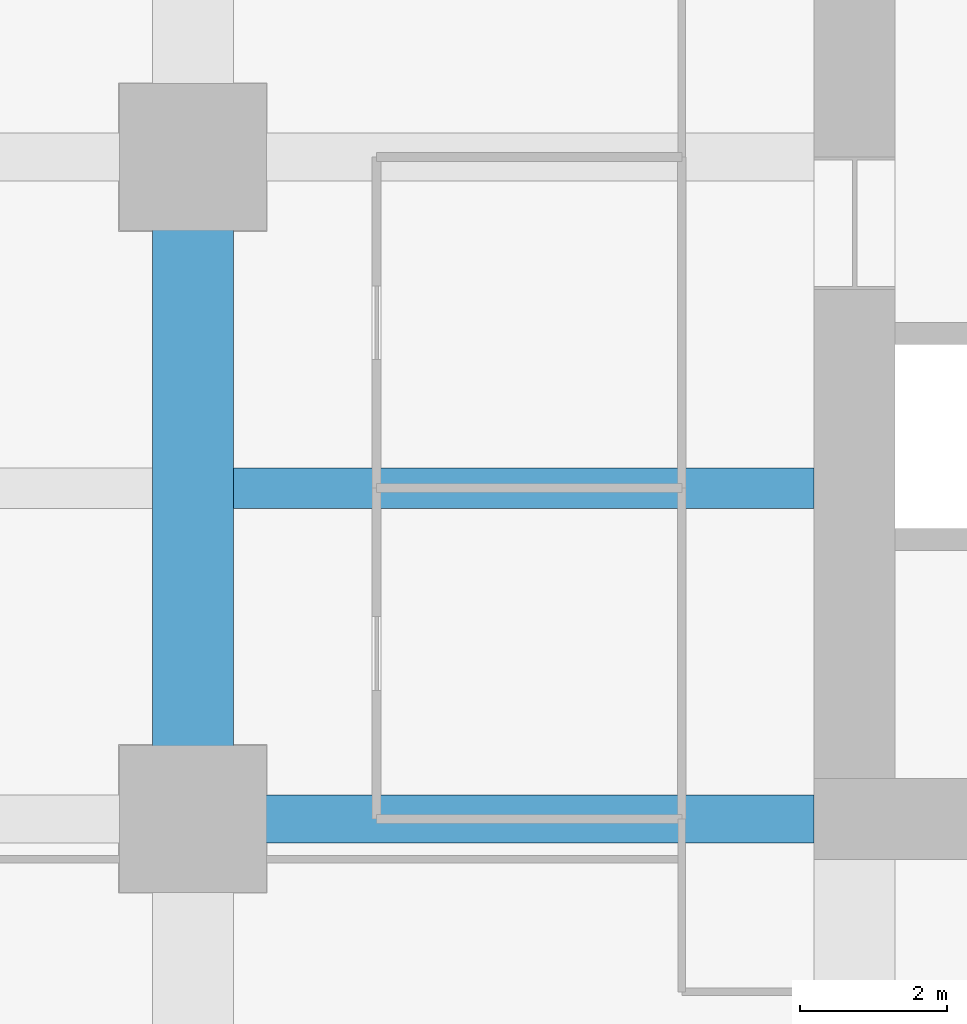
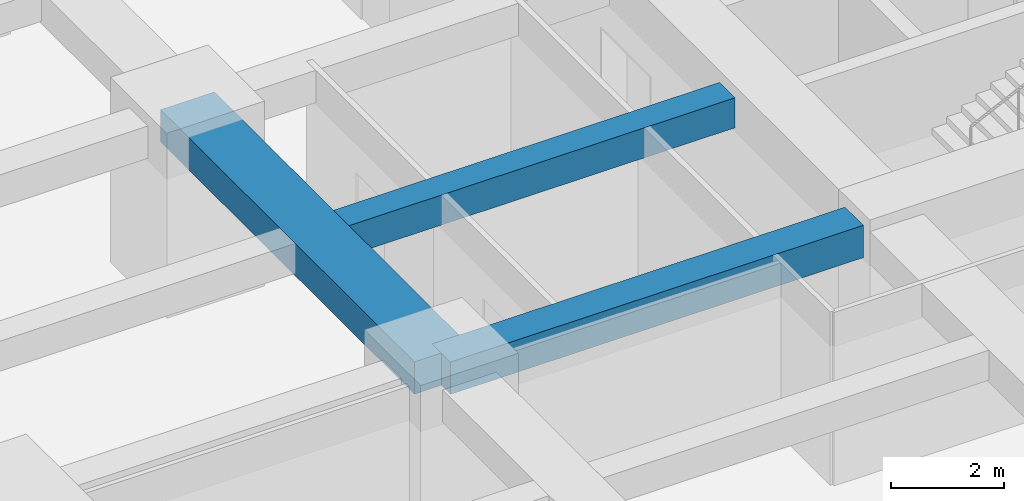
# One storey, part 10 of 41: 3 beams.
"""IFC4 building model written with IfcOpenShell, lengths in metres."""

from ifc_helpers import new_model, si_unit, direction, frame, origin, origin_2d, place, context, subcontext, project, spatial, rectangle, extrude, material, material_profile, profile_set, type_object, element, save


model = new_model("IFC4")

# Units and contexts
model_context = context("Model", 3, precision=1e-05, world=origin(), true_north=direction((0.0, 1.0)))
body_context = subcontext(model_context, "Body", "Model", "MODEL_VIEW")
ifc_project = project(units=[si_unit("LENGTHUNIT", "METRE"), si_unit("AREAUNIT", "SQUARE_METRE"), si_unit("VOLUMEUNIT", "CUBIC_METRE"), si_unit("PLANEANGLEUNIT", "RADIAN"), si_unit("MASSUNIT", "GRAM", prefix="KILO")], contexts=[model_context])

# Site, building, storey
site_placement = place(None, origin())
site = spatial("IfcSite", under=ifc_project, at=site_placement, CompositionType="ELEMENT")
building_placement = place(site_placement, origin())
building = spatial("IfcBuilding", under=site, at=building_placement, Name="Zorevar Civic Tower", CompositionType="ELEMENT")
storey_placement = place(building_placement, frame((0.0, 0.0, 97.0)))
storey = spatial("IfcBuildingStorey", under=building, at=storey_placement, Name="L23", CompositionType="ELEMENT", Elevation=97.0)

# Beams
ifc_material_1 = material(Name="Concrete C50/60", Category="concrete")
ifc_material_profile_1 = material_profile(ifc_material_1, rectangle(XDim=1.10009765625, YDim=0.699951171875, at=origin_2d()), Name="RC 1100x700")
ifc_profile_set_1 = profile_set([ifc_material_profile_1], Name="Concrete C50/60")
beam_type_1 = type_object("IfcBeamType", Name="Beam RC 1100x700", PredefinedType="BEAM", material=ifc_profile_set_1)
beam_1_placement = place(storey_placement, frame((9.0, 18.0, 3.39990234375), z_axis=(0.0, 1.0, 0.0), x_axis=(-1.0, 0.0, 0.0)))
element("IfcBeam", 1, at=beam_1_placement, inside=storey, type_object=beam_type_1, Name="Girder L24", PredefinedType="BEAM", context=body_context, shape_type="SweptSolid", body=[
    extrude(rectangle(XDim=1.10009765625, YDim=0.699951171875, at=origin_2d()), origin(), (0.0, 0.0, 1.0), 9.0),
])
ifc_material_2 = material(Name="Concrete C50/60", Category="concrete")
ifc_material_profile_2 = material_profile(ifc_material_2, rectangle(XDim=0.550048828125, YDim=0.64990234375, at=origin_2d()), Name="RC 550x650")
ifc_profile_set_2 = profile_set([ifc_material_profile_2], Name="Concrete C50/60")
beam_type_2 = type_object("IfcBeamType", Name="Beam RC 550x650", PredefinedType="BEAM", material=ifc_profile_set_2)
beam_2_placement = place(storey_placement, frame((9.550048828125, 22.5, 3.425048828125), z_axis=(1.0, 0.0, 0.0), x_axis=(0.0, 1.0, 0.0)))
element("IfcBeam", 2, at=beam_2_placement, inside=storey, type_object=beam_type_2, Name="Secondary beam L24", PredefinedType="BEAM", context=body_context, shape_type="SweptSolid", body=[
    extrude(rectangle(XDim=0.550048828125, YDim=0.64990234375, at=origin_2d()), origin(), (0.0, 0.0, 1.0), 7.89990234375),
])
ifc_material_3 = material(Name="Concrete C50/60", Category="concrete")
ifc_material_profile_3 = material_profile(ifc_material_3, rectangle(XDim=0.64990234375, YDim=0.699951171875, at=origin_2d()), Name="RC 650x700")
ifc_profile_set_3 = profile_set([ifc_material_profile_3], Name="Concrete C50/60")
beam_type_3 = type_object("IfcBeamType", Name="Beam RC 650x700", PredefinedType="BEAM", material=ifc_profile_set_3)
beam_3_placement = place(storey_placement, frame((9.0, 18.0, 3.39990234375), z_axis=(1.0, 0.0, 0.0), x_axis=(0.0, 1.0, 0.0)))
element("IfcBeam", 3, at=beam_3_placement, inside=storey, type_object=beam_type_3, Name="Girder L24", PredefinedType="BEAM", context=body_context, shape_type="SweptSolid", body=[
    extrude(rectangle(XDim=0.64990234375, YDim=0.699951171875, at=origin_2d()), origin(), (0.0, 0.0, 1.0), 8.449951171875),
])

save(model, "model.ifc")
